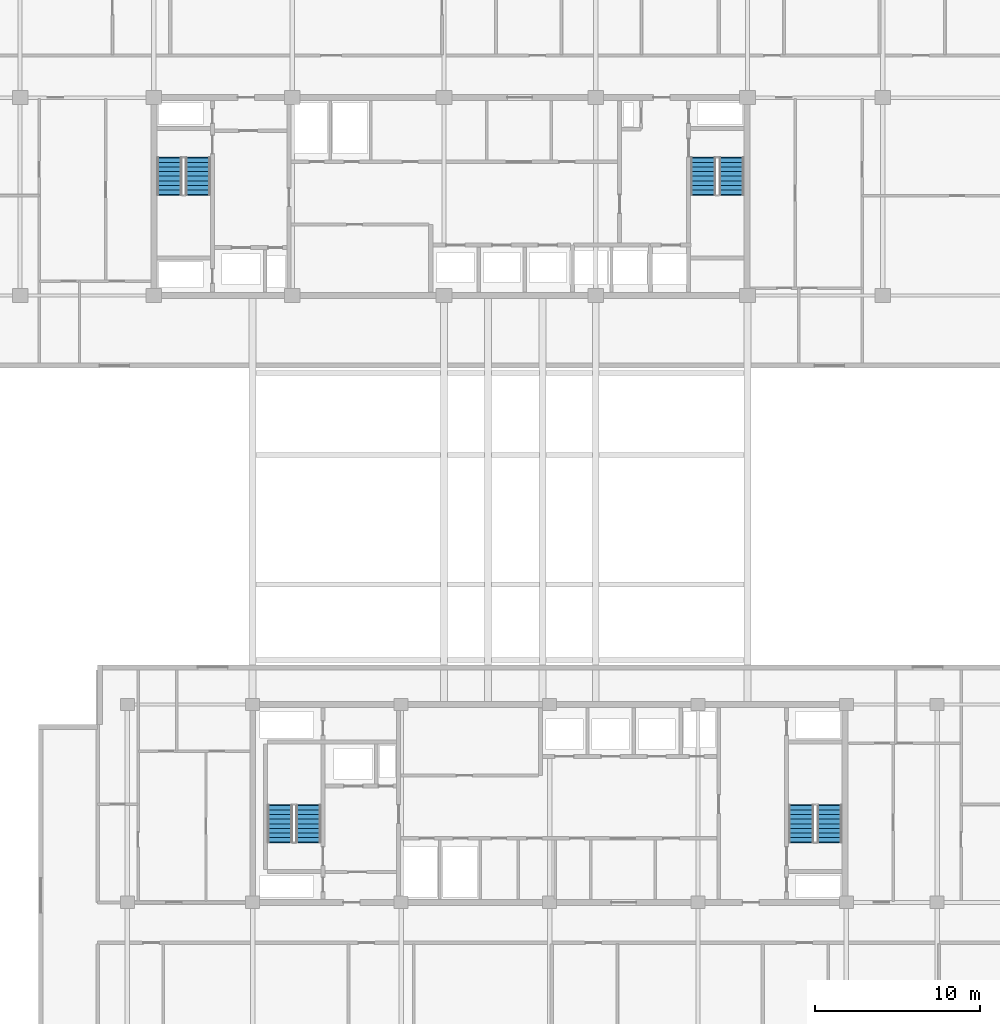
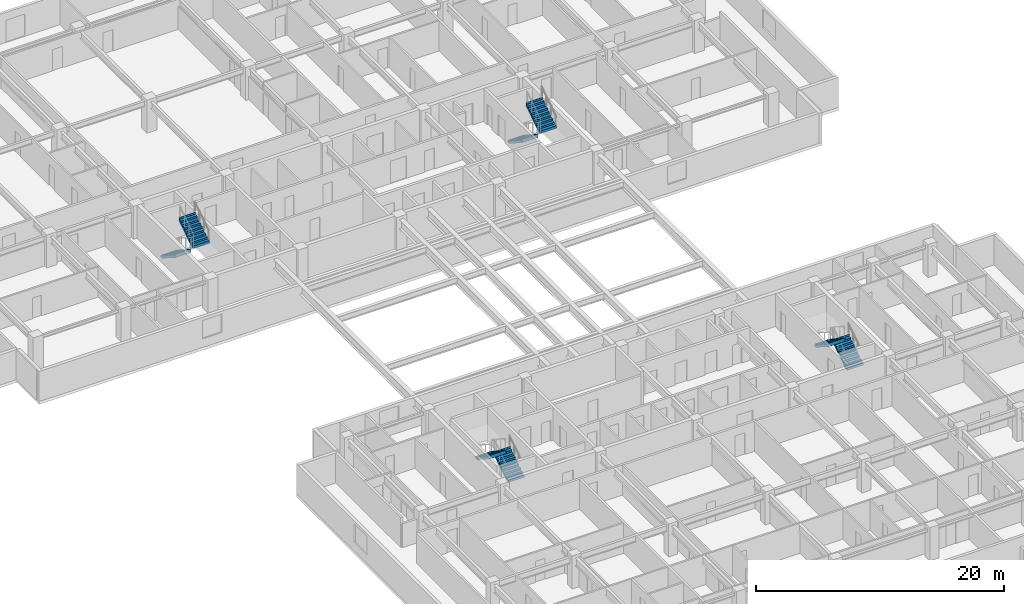
# One storey, part 16 of 21: 8 stair flights, 4 elements without a shape of their own.
"""IFC4 building model written with IfcOpenShell, lengths in metres."""

import ifcopenshell
import ifcopenshell.guid

model = None  # the IFC model being written
_history = None  # IfcOwnerHistory: only IFC2X3 demands one
_inside = {}  # id of a spatial element -> (the spatial element, [elements in it])
_under = {}  # id of a project, library or spatial element -> (it, [spatial elements below it])
_declared = {}  # id of a project -> (the project, [libraries it declares])
_typed = {}  # id of a type object -> (the type object, [elements of that type])
_made_of = {}  # id of a material, layer set ... -> (it, [elements and type objects made of it])


def new_model(schema):
    """Start an empty IFC model of exactly this schema.

    Asked for "IFC4X3", IfcOpenShell would pick the latest addendum, in which some entities
    have other attributes; the version numbers below select the first issue.
    IFC2X3 requires an IfcOwnerHistory on every rooted entity: one is made here for all.
    """
    global model, _history
    if schema == "IFC4X3":
        model = ifcopenshell.file(schema_version=(4, 3, 0, 0))
    else:
        model = ifcopenshell.file(schema=schema)
    _inside.clear()
    _under.clear()
    _declared.clear()
    _typed.clear()
    _made_of.clear()
    _history = None
    if model.schema == "IFC2X3":
        org = make("IfcOrganization", Name="unknown")
        user = make(
            "IfcPersonAndOrganization",
            ThePerson=make("IfcPerson", FamilyName="unknown"),
            TheOrganization=org,
        )
        app = make(
            "IfcApplication",
            ApplicationDeveloper=org,
            Version="unknown",
            ApplicationFullName="unknown",
            ApplicationIdentifier="unknown",
        )
        _history = make(
            "IfcOwnerHistory",
            OwningUser=user,
            OwningApplication=app,
            ChangeAction="ADDED",
            CreationDate=0,
        )
    return model


def make(cls, **values):
    """One entity of the class cls with the attributes given. An attribute that is None is left unset."""
    return model.create_entity(
        cls, **{name: value for name, value in values.items() if value is not None}
    )


def rooted(cls, **values):
    """An entity with a GlobalId (a new one), such as an element, a storey or a relation."""
    return make(cls, GlobalId=ifcopenshell.guid.new(), OwnerHistory=_history, **values)


def si_unit(unit_type, name, prefix=None):
    """IfcSIUnit, for example si_unit("LENGTHUNIT", "METRE", prefix="MILLI")."""
    return make("IfcSIUnit", UnitType=unit_type, Prefix=prefix, Name=name)


def assignment(units):
    """IfcUnitAssignment: the units of a project."""
    return None if units is None else make("IfcUnitAssignment", Units=units)


def point(xyz):
    """IfcCartesianPoint."""
    return None if xyz is None else make("IfcCartesianPoint", Coordinates=xyz)


def direction(xyz):
    """IfcDirection."""
    return None if xyz is None else make("IfcDirection", DirectionRatios=xyz)


def frame(location, z_axis=None, x_axis=None):
    """IfcAxis2Placement3D, a coordinate frame: its origin and axes. An axis left out is left unset."""
    return make(
        "IfcAxis2Placement3D",
        Location=point(location),
        Axis=direction(z_axis),
        RefDirection=direction(x_axis),
    )


def origin():
    """The frame at (0, 0, 0) with its axes left unset."""
    return frame((0.0, 0.0, 0.0))


def place(relative_to, where):
    """IfcLocalPlacement: puts the frame where relative to a parent placement (None: the world)."""
    return make(
        "IfcLocalPlacement", PlacementRelTo=relative_to, RelativePlacement=where
    )


def context(
    kind, dimensions, precision=None, world=None, true_north=None, identifier=None
):
    """IfcGeometricRepresentationContext, for example the 3D "Model" context."""
    return make(
        "IfcGeometricRepresentationContext",
        ContextIdentifier=identifier,
        ContextType=kind,
        CoordinateSpaceDimension=dimensions,
        Precision=precision,
        WorldCoordinateSystem=world,
        TrueNorth=true_north,
    )


def subcontext(parent, identifier, kind, view, scale=None):
    """IfcGeometricRepresentationSubContext, for example "Body" below "Model"."""
    return make(
        "IfcGeometricRepresentationSubContext",
        ContextIdentifier=identifier,
        ContextType=kind,
        ParentContext=parent,
        TargetScale=scale,
        TargetView=view,
    )


def project(units=None, contexts=None):
    """IfcProject with its units and contexts."""
    return rooted(
        "IfcProject",
        Name="project",
        RepresentationContexts=contexts,
        UnitsInContext=assignment(units),
    )


def spatial(cls, under=None, at=None, **own):
    """A site, building, storey or space (cls), placed at a placement, below another one or the project."""
    s = rooted(cls, ObjectPlacement=at, **own)
    if under is not None:
        _under.setdefault(under.id(), (under, []))[1].append(s)
    return s


def polyline(points):
    """IfcPolyline through the points."""
    return make("IfcPolyline", Points=[point(p) for p in points])


def outline(outer, holes=None, kind="AREA"):
    """IfcArbitraryClosedProfileDef: a profile drawn as a closed curve; with holes, ...WithVoids."""
    if holes is None:
        return make("IfcArbitraryClosedProfileDef", ProfileType=kind, OuterCurve=outer)
    return make(
        "IfcArbitraryProfileDefWithVoids",
        ProfileType=kind,
        OuterCurve=outer,
        InnerCurves=holes,
    )


def extrude(swept, where, along, depth):
    """IfcExtrudedAreaSolid: the profile swept, set in the frame where, extruded along a direction by depth."""
    return make(
        "IfcExtrudedAreaSolid",
        SweptArea=swept,
        Position=where,
        ExtrudedDirection=direction(along),
        Depth=depth,
    )


def shape(context_of_items, identifier, shape_type, items):
    """IfcShapeRepresentation: the items that make up one representation, for example the "Body"."""
    return make(
        "IfcShapeRepresentation",
        ContextOfItems=context_of_items,
        RepresentationIdentifier=identifier,
        RepresentationType=shape_type,
        Items=items,
    )


def material(Name=None, Category=None):
    """IfcMaterial."""
    return make("IfcMaterial", Name=Name, Category=Category)


def made_of(thing, what):
    """Note that an element or type object is made of a material, layer set ...; save() writes the relation."""
    if what is not None:
        _made_of.setdefault(what.id(), (what, []))[1].append(thing)
    return thing


def type_object(cls, material=None, **own):
    """A type object (cls), such as IfcWallType, which elements share."""
    return made_of(rooted(cls, **own), material)


def element(
    cls,
    number,
    at=None,
    inside=None,
    cuts=None,
    type_object=None,
    material=None,
    context=None,
    identifier="Body",
    shape_type=None,
    held_by="IfcProductDefinitionShape",
    body=None,
    shapes=None,
    **own,
):
    """One element of the class cls, such as IfcWall. Its Tag is "e" and its number.

    at: its placement. inside: the storey or other place that contains it. cuts: it is an
    opening in that element (IfcRelVoidsElement). A single representation is given by context,
    identifier, shape_type and body (its items); several are given by shapes. held_by: the class
    of the entity that holds the representations. save() writes the other relations.
    """
    e = rooted(cls, Tag="e%d" % number, ObjectPlacement=at, **own)
    if body is not None:
        shapes = [shape(context, identifier, shape_type, body)]
    if shapes is not None:
        e.Representation = make(held_by, Representations=shapes)
    if inside is not None:
        _inside.setdefault(inside.id(), (inside, []))[1].append(e)
    if cuts is not None:
        rooted(
            "IfcRelVoidsElement", RelatingBuildingElement=cuts, RelatedOpeningElement=e
        )
    if type_object is not None:
        _typed.setdefault(type_object.id(), (type_object, []))[1].append(e)
    return made_of(e, material)


def aggregate(whole, parts):
    """IfcRelAggregates: a whole, such as a stair, and the parts it consists of."""
    return rooted("IfcRelAggregates", RelatingObject=whole, RelatedObjects=parts)


def save(model, path):
    """Write the relations noted so far, then the file.

    IfcRelAggregates (storeys below a building ...), IfcRelContainedInSpatialStructure (elements
    in a storey), IfcRelDefinesByType, IfcRelAssociatesMaterial and IfcRelDeclares: one each for
    every whole, place, type object, material and project.
    """
    for whole, parts in _under.values():
        aggregate(whole, parts)
    for where, things in _inside.values():
        rooted(
            "IfcRelContainedInSpatialStructure",
            RelatedElements=things,
            RelatingStructure=where,
        )
    for kind, things in _typed.values():
        rooted("IfcRelDefinesByType", RelatedObjects=things, RelatingType=kind)
    for what, things in _made_of.values():
        rooted("IfcRelAssociatesMaterial", RelatedObjects=things, RelatingMaterial=what)
    for by, libraries in _declared.values():
        rooted("IfcRelDeclares", RelatingContext=by, RelatedDefinitions=libraries)
    model.write(path)


model = new_model("IFC4")

# Units and contexts
model_context = context("Model", 3, precision=1e-05, world=origin(), true_north=direction((0.0, 1.0)))
body_context = subcontext(model_context, "Body", "Model", "MODEL_VIEW")
ifc_project = project(units=[si_unit("LENGTHUNIT", "METRE"), si_unit("AREAUNIT", "SQUARE_METRE"), si_unit("VOLUMEUNIT", "CUBIC_METRE"), si_unit("PLANEANGLEUNIT", "RADIAN"), si_unit("MASSUNIT", "GRAM", prefix="KILO")], contexts=[model_context])

# Site, building, storey
site_placement = place(None, origin())
site = spatial("IfcSite", under=ifc_project, at=site_placement, CompositionType="ELEMENT")
building_placement = place(site_placement, origin())
building = spatial("IfcBuilding", under=site, at=building_placement, Name="Korimba Cascade Residences", CompositionType="ELEMENT")
storey_placement = place(building_placement, frame((0.0, 0.0, 136.050048828125)))
storey = spatial("IfcBuildingStorey", under=building, at=storey_placement, Name="L39", CompositionType="ELEMENT", Elevation=136.050048828125)

# Stair, stair flights
ifc_material = material(Name="Concrete C50/60", Category="concrete")
stair_type_1 = type_object("IfcStairType", Name="STR-W1-18R-1806", PredefinedType="HALF_TURN_STAIR", material=ifc_material)
stair_1_placement = place(storey_placement, origin())
stair_1 = element("IfcStair", 1, at=stair_1_placement, inside=storey, type_object=stair_type_1, Name="L39 Tower 1 West Fire Stair ST-W1", PredefinedType="HALF_TURN_STAIR")
stair_flight_type = type_object("IfcStairFlightType", Name="STF-DL-18R-1806-1520", PredefinedType="STRAIGHT", material=ifc_material)
stair_flight_1_placement = place(storey_placement, frame((77.06005859375, 63.550048828125, 0.0), z_axis=(0.0, 0.0, 1.0), x_axis=(0.0, -1.0, 0.0)))
stair_flight_1 = element("IfcStairFlight", 2, at=stair_flight_1_placement, type_object=stair_flight_type, Name="ST-W1 flight 1", NumberOfRisers=9, NumberOfTreads=8, PredefinedType="STRAIGHT", RiserHeight=0.180555556, TreadLength=0.28, context=body_context, shape_type="SweptSolid", body=[
    extrude(outline(polyline([(-0.0380859375, 0.0), (0.0, 0.1806640625), (0.280029296875, 0.1806640625), (0.280029296875, 0.361083984375), (0.56005859375, 0.361083984375), (0.56005859375, 0.541748046875), (0.840087890625, 0.541748046875), (0.840087890625, 0.72216796875), (1.1201171875, 0.72216796875), (1.1201171875, 0.90283203125), (1.39990234375, 0.90283203125), (1.39990234375, 1.083251953125), (1.679931640625, 1.083251953125), (1.679931640625, 1.263916015625), (1.9599609375, 1.263916015625), (1.9599609375, 1.4443359375), (2.239990234375, 1.4443359375), (2.239990234375, 1.625), (2.278076171875, 1.625), (2.278076171875, 1.26611328125), (0.276611328125, 0.0), (0.276611328125, -0.0380859375), (-0.0380859375, -0.0380859375), (-0.0380859375, 0.0)])), frame((0.0, 0.760009765625, 0.0), z_axis=(0.0, -1.0, 0.0), x_axis=(1.0, 0.0, 0.0)), (0.0, 0.0, 1.0), 1.52001953125),
])
stair_flight_2_placement = place(storey_placement, frame((78.780029296875, 61.31005859375, 1.625), z_axis=(0.0, 0.0, 1.0), x_axis=(0.0, 1.0, 0.0)))
stair_flight_2 = element("IfcStairFlight", 3, at=stair_flight_2_placement, type_object=stair_flight_type, Name="ST-W1 flight 2", NumberOfRisers=9, NumberOfTreads=8, PredefinedType="STRAIGHT", RiserHeight=0.180555556, TreadLength=0.28, context=body_context, shape_type="SweptSolid", body=[
    extrude(outline(polyline([(-0.0380859375, 0.0), (0.0, 0.1806640625), (0.280029296875, 0.1806640625), (0.280029296875, 0.361083984375), (0.56005859375, 0.361083984375), (0.56005859375, 0.541748046875), (0.840087890625, 0.541748046875), (0.840087890625, 0.72216796875), (1.1201171875, 0.72216796875), (1.1201171875, 0.90283203125), (1.39990234375, 0.90283203125), (1.39990234375, 1.083251953125), (1.679931640625, 1.083251953125), (1.679931640625, 1.263916015625), (1.9599609375, 1.263916015625), (1.9599609375, 1.4443359375), (2.239990234375, 1.4443359375), (2.239990234375, 1.625), (2.278076171875, 1.625), (2.278076171875, 1.26611328125), (0.276611328125, 0.0), (0.276611328125, -0.0380859375), (-0.0380859375, -0.0380859375), (-0.0380859375, 0.0)])), frame((0.0, 0.760009765625, 0.0), z_axis=(0.0, -1.0, 0.0), x_axis=(1.0, 0.0, 0.0)), (0.0, 0.0, 1.0), 1.52001953125),
])
aggregate(stair_1, [stair_flight_1, stair_flight_2])

stair_type_2 = type_object("IfcStairType", Name="STR-W2-18R-1806", PredefinedType="HALF_TURN_STAIR", material=ifc_material)
stair_2_placement = place(storey_placement, origin())
stair_2 = element("IfcStair", 4, at=stair_2_placement, inside=storey, type_object=stair_type_2, Name="L39 Tower 1 East Fire Stair ST-W2", PredefinedType="HALF_TURN_STAIR")
stair_flight_3_placement = place(storey_placement, frame((109.419921875, 63.550048828125, 0.0), z_axis=(0.0, 0.0, 1.0), x_axis=(0.0, -1.0, 0.0)))
stair_flight_3 = element("IfcStairFlight", 5, at=stair_flight_3_placement, type_object=stair_flight_type, Name="ST-W2 flight 1", NumberOfRisers=9, NumberOfTreads=8, PredefinedType="STRAIGHT", RiserHeight=0.180555556, TreadLength=0.28, context=body_context, shape_type="SweptSolid", body=[
    extrude(outline(polyline([(-0.0380859375, 0.0), (0.0, 0.1806640625), (0.280029296875, 0.1806640625), (0.280029296875, 0.361083984375), (0.56005859375, 0.361083984375), (0.56005859375, 0.541748046875), (0.840087890625, 0.541748046875), (0.840087890625, 0.72216796875), (1.1201171875, 0.72216796875), (1.1201171875, 0.90283203125), (1.39990234375, 0.90283203125), (1.39990234375, 1.083251953125), (1.679931640625, 1.083251953125), (1.679931640625, 1.263916015625), (1.9599609375, 1.263916015625), (1.9599609375, 1.4443359375), (2.239990234375, 1.4443359375), (2.239990234375, 1.625), (2.278076171875, 1.625), (2.278076171875, 1.26611328125), (0.276611328125, 0.0), (0.276611328125, -0.0380859375), (-0.0380859375, -0.0380859375), (-0.0380859375, 0.0)])), frame((0.0, 0.760009765625, 0.0), z_axis=(0.0, -1.0, 0.0), x_axis=(1.0, 0.0, 0.0)), (0.0, 0.0, 1.0), 1.52001953125),
])
stair_flight_4_placement = place(storey_placement, frame((111.139892578125, 61.31005859375, 1.625), z_axis=(0.0, 0.0, 1.0), x_axis=(0.0, 1.0, 0.0)))
stair_flight_4 = element("IfcStairFlight", 6, at=stair_flight_4_placement, type_object=stair_flight_type, Name="ST-W2 flight 2", NumberOfRisers=9, NumberOfTreads=8, PredefinedType="STRAIGHT", RiserHeight=0.180555556, TreadLength=0.28, context=body_context, shape_type="SweptSolid", body=[
    extrude(outline(polyline([(-0.0380859375, 0.0), (0.0, 0.1806640625), (0.280029296875, 0.1806640625), (0.280029296875, 0.361083984375), (0.56005859375, 0.361083984375), (0.56005859375, 0.541748046875), (0.840087890625, 0.541748046875), (0.840087890625, 0.72216796875), (1.1201171875, 0.72216796875), (1.1201171875, 0.90283203125), (1.39990234375, 0.90283203125), (1.39990234375, 1.083251953125), (1.679931640625, 1.083251953125), (1.679931640625, 1.263916015625), (1.9599609375, 1.263916015625), (1.9599609375, 1.4443359375), (2.239990234375, 1.4443359375), (2.239990234375, 1.625), (2.278076171875, 1.625), (2.278076171875, 1.26611328125), (0.276611328125, 0.0), (0.276611328125, -0.0380859375), (-0.0380859375, -0.0380859375), (-0.0380859375, 0.0)])), frame((0.0, 0.760009765625, 0.0), z_axis=(0.0, -1.0, 0.0), x_axis=(1.0, 0.0, 0.0)), (0.0, 0.0, 1.0), 1.52001953125),
])
aggregate(stair_2, [stair_flight_3, stair_flight_4])

stair_type_3 = type_object("IfcStairType", Name="STR-E1-18R-1806", PredefinedType="HALF_TURN_STAIR", material=ifc_material)
stair_3_placement = place(storey_placement, origin())
stair_3 = element("IfcStair", 7, at=stair_3_placement, inside=storey, type_object=stair_type_3, Name="L39 Tower 2 West Fire Stair ST-E1", PredefinedType="HALF_TURN_STAIR")
stair_flight_5_placement = place(storey_placement, frame((85.47998046875, 22.050048828125, 0.0), z_axis=(0.0, 0.0, 1.0), x_axis=(0.0, 1.0, 0.0)))
stair_flight_5 = element("IfcStairFlight", 8, at=stair_flight_5_placement, type_object=stair_flight_type, Name="ST-E1 flight 1", NumberOfRisers=9, NumberOfTreads=8, PredefinedType="STRAIGHT", RiserHeight=0.180555556, TreadLength=0.28, context=body_context, shape_type="SweptSolid", body=[
    extrude(outline(polyline([(-0.0380859375, 0.0), (0.0, 0.1806640625), (0.280029296875, 0.1806640625), (0.280029296875, 0.361083984375), (0.56005859375, 0.361083984375), (0.56005859375, 0.541748046875), (0.840087890625, 0.541748046875), (0.840087890625, 0.72216796875), (1.1201171875, 0.72216796875), (1.1201171875, 0.90283203125), (1.39990234375, 0.90283203125), (1.39990234375, 1.083251953125), (1.679931640625, 1.083251953125), (1.679931640625, 1.263916015625), (1.9599609375, 1.263916015625), (1.9599609375, 1.4443359375), (2.239990234375, 1.4443359375), (2.239990234375, 1.625), (2.278076171875, 1.625), (2.278076171875, 1.26611328125), (0.276611328125, 0.0), (0.276611328125, -0.0380859375), (-0.0380859375, -0.0380859375), (-0.0380859375, 0.0)])), frame((0.0, 0.760009765625, 0.0), z_axis=(0.0, -1.0, 0.0), x_axis=(1.0, 0.0, 0.0)), (0.0, 0.0, 1.0), 1.52001953125),
])
stair_flight_6_placement = place(storey_placement, frame((83.760009765625, 24.2900390625, 1.625), z_axis=(0.0, 0.0, 1.0), x_axis=(0.0, -1.0, 0.0)))
stair_flight_6 = element("IfcStairFlight", 9, at=stair_flight_6_placement, type_object=stair_flight_type, Name="ST-E1 flight 2", NumberOfRisers=9, NumberOfTreads=8, PredefinedType="STRAIGHT", RiserHeight=0.180555556, TreadLength=0.28, context=body_context, shape_type="SweptSolid", body=[
    extrude(outline(polyline([(-0.0380859375, 0.0), (0.0, 0.1806640625), (0.280029296875, 0.1806640625), (0.280029296875, 0.361083984375), (0.56005859375, 0.361083984375), (0.56005859375, 0.541748046875), (0.840087890625, 0.541748046875), (0.840087890625, 0.72216796875), (1.1201171875, 0.72216796875), (1.1201171875, 0.90283203125), (1.39990234375, 0.90283203125), (1.39990234375, 1.083251953125), (1.679931640625, 1.083251953125), (1.679931640625, 1.263916015625), (1.9599609375, 1.263916015625), (1.9599609375, 1.4443359375), (2.239990234375, 1.4443359375), (2.239990234375, 1.625), (2.278076171875, 1.625), (2.278076171875, 1.26611328125), (0.276611328125, 0.0), (0.276611328125, -0.0380859375), (-0.0380859375, -0.0380859375), (-0.0380859375, 0.0)])), frame((0.0, 0.760009765625, 0.0), z_axis=(0.0, -1.0, 0.0), x_axis=(1.0, 0.0, 0.0)), (0.0, 0.0, 1.0), 1.52001953125),
])
aggregate(stair_3, [stair_flight_5, stair_flight_6])

stair_type_4 = type_object("IfcStairType", Name="STR-E2-18R-1806", PredefinedType="HALF_TURN_STAIR", material=ifc_material)
stair_4_placement = place(storey_placement, origin())
stair_4 = element("IfcStair", 10, at=stair_4_placement, inside=storey, type_object=stair_type_4, Name="L39 Tower 2 East Fire Stair ST-E2", PredefinedType="HALF_TURN_STAIR")
stair_flight_7_placement = place(storey_placement, frame((117.080078125, 22.050048828125, 0.0), z_axis=(0.0, 0.0, 1.0), x_axis=(0.0, 1.0, 0.0)))
stair_flight_7 = element("IfcStairFlight", 11, at=stair_flight_7_placement, type_object=stair_flight_type, Name="ST-E2 flight 1", NumberOfRisers=9, NumberOfTreads=8, PredefinedType="STRAIGHT", RiserHeight=0.180555556, TreadLength=0.28, context=body_context, shape_type="SweptSolid", body=[
    extrude(outline(polyline([(-0.0380859375, 0.0), (0.0, 0.1806640625), (0.280029296875, 0.1806640625), (0.280029296875, 0.361083984375), (0.56005859375, 0.361083984375), (0.56005859375, 0.541748046875), (0.840087890625, 0.541748046875), (0.840087890625, 0.72216796875), (1.1201171875, 0.72216796875), (1.1201171875, 0.90283203125), (1.39990234375, 0.90283203125), (1.39990234375, 1.083251953125), (1.679931640625, 1.083251953125), (1.679931640625, 1.263916015625), (1.9599609375, 1.263916015625), (1.9599609375, 1.4443359375), (2.239990234375, 1.4443359375), (2.239990234375, 1.625), (2.278076171875, 1.625), (2.278076171875, 1.26611328125), (0.276611328125, 0.0), (0.276611328125, -0.0380859375), (-0.0380859375, -0.0380859375), (-0.0380859375, 0.0)])), frame((0.0, 0.760009765625, 0.0), z_axis=(0.0, -1.0, 0.0), x_axis=(1.0, 0.0, 0.0)), (0.0, 0.0, 1.0), 1.52001953125),
])
stair_flight_8_placement = place(storey_placement, frame((115.360107421875, 24.2900390625, 1.625), z_axis=(0.0, 0.0, 1.0), x_axis=(0.0, -1.0, 0.0)))
stair_flight_8 = element("IfcStairFlight", 12, at=stair_flight_8_placement, type_object=stair_flight_type, Name="ST-E2 flight 2", NumberOfRisers=9, NumberOfTreads=8, PredefinedType="STRAIGHT", RiserHeight=0.180555556, TreadLength=0.28, context=body_context, shape_type="SweptSolid", body=[
    extrude(outline(polyline([(-0.0380859375, 0.0), (0.0, 0.1806640625), (0.280029296875, 0.1806640625), (0.280029296875, 0.361083984375), (0.56005859375, 0.361083984375), (0.56005859375, 0.541748046875), (0.840087890625, 0.541748046875), (0.840087890625, 0.72216796875), (1.1201171875, 0.72216796875), (1.1201171875, 0.90283203125), (1.39990234375, 0.90283203125), (1.39990234375, 1.083251953125), (1.679931640625, 1.083251953125), (1.679931640625, 1.263916015625), (1.9599609375, 1.263916015625), (1.9599609375, 1.4443359375), (2.239990234375, 1.4443359375), (2.239990234375, 1.625), (2.278076171875, 1.625), (2.278076171875, 1.26611328125), (0.276611328125, 0.0), (0.276611328125, -0.0380859375), (-0.0380859375, -0.0380859375), (-0.0380859375, 0.0)])), frame((0.0, 0.760009765625, 0.0), z_axis=(0.0, -1.0, 0.0), x_axis=(1.0, 0.0, 0.0)), (0.0, 0.0, 1.0), 1.52001953125),
])
aggregate(stair_4, [stair_flight_7, stair_flight_8])

save(model, "model.ifc")
